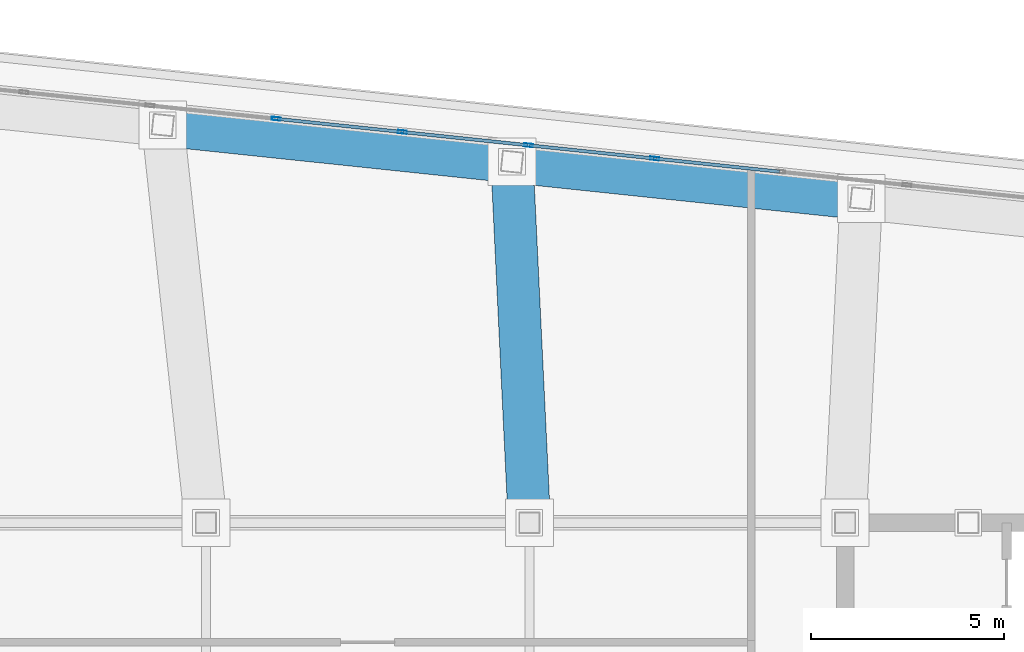
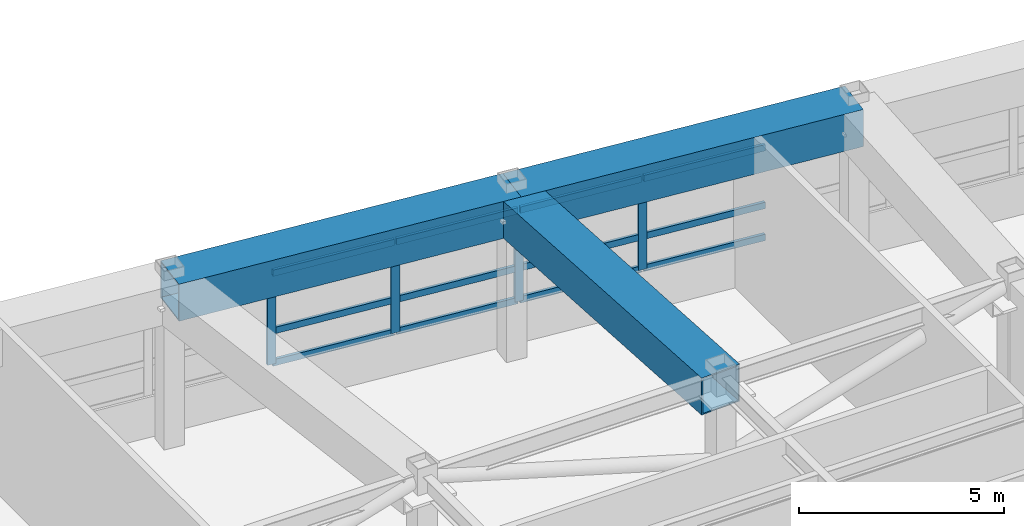
# One storey, part 15 of 22: 16 members, 3 beams, 1 element without a shape of its own.
"""IFC4 building model written with IfcOpenShell, lengths in metres."""

from ifc_helpers import new_model, si_unit, direction, frame, origin, origin_2d, place, context, subcontext, project, spatial, hollow_rectangle, extrude, material, layer, layer_set, material_profile, profile_set, type_object, element, aggregate, save


model = new_model("IFC4")

# Units and contexts
model_context = context("Model", 3, precision=1e-05, world=origin(), true_north=direction((0.0, 1.0)))
body_context = subcontext(model_context, "Body", "Model", "MODEL_VIEW")
ifc_project = project(units=[si_unit("LENGTHUNIT", "METRE"), si_unit("AREAUNIT", "SQUARE_METRE"), si_unit("VOLUMEUNIT", "CUBIC_METRE"), si_unit("PLANEANGLEUNIT", "RADIAN"), si_unit("MASSUNIT", "GRAM", prefix="KILO")], contexts=[model_context])

# Site, building, storey
site_placement = place(None, origin())
site = spatial("IfcSite", under=ifc_project, at=site_placement, CompositionType="ELEMENT")
building_placement = place(site_placement, origin())
building = spatial("IfcBuilding", under=site, at=building_placement, Name="Voryun Gate Residences", CompositionType="ELEMENT")
storey_placement = place(building_placement, frame((0.0, 0.0, 310.699951171875)))
storey = spatial("IfcBuildingStorey", under=building, at=storey_placement, Name="L77", CompositionType="ELEMENT", Elevation=310.699951171875)

# Beams
ifc_material_1 = material(Name="Steel SM420", Category="steel")
ifc_material_profile_1 = material_profile(ifc_material_1, hollow_rectangle(XDim=1.10009765625, YDim=1.10009765625, WallThickness=0.035888671875, at=origin_2d()), Name="BOX-1100x1100x36")
ifc_profile_set_1 = profile_set([ifc_material_profile_1], Name="Steel SM420")
beam_type = type_object("IfcBeamType", Name="BM_ARCH_RIB", PredefinedType="USERDEFINED", material=ifc_profile_set_1)
for number, where, z_axis, x_axis, name in (
    (1, (12.818603515625, 15.824951171875, 4.47509765625), (-0.994521136856, 0.104535679778, 0.0), (-0.104535679778, -0.994521136856, 0.0), "BM-L77-SPAND-12"),
    (2, (3.74853515625, 16.7783203125, 4.47509765625), (-0.994521136856, 0.104535679778, 0.0), (-0.104535679778, -0.994521136856, 0.0), "BM-L77-SPAND-13"),
):
    element("IfcBeam", number, at=place(storey_placement, frame(where, z_axis=z_axis, x_axis=x_axis)), inside=storey, type_object=beam_type, Name=name, ObjectType="GIRDER", PredefinedType="USERDEFINED", context=body_context, shape_type="SweptSolid", body=[
        extrude(hollow_rectangle(XDim=1.10009765625, YDim=1.10009765625, WallThickness=0.035888671875, at=origin_2d()), origin(), (0.0, 0.0, 1.0), 9.1201171875),
    ])
beam_placement = place(storey_placement, frame((4.199951171875, 7.39990234375, 4.47509765625), z_axis=(-0.048077831062, 0.998843592441, 0.0), x_axis=(-0.998843592441, -0.048077831062, 0.0)))
element("IfcBeam", 3, at=beam_placement, inside=storey, type_object=beam_type, Name="BM-L77-RAD-N3", ObjectType="GIRDER", PredefinedType="USERDEFINED", context=body_context, shape_type="SweptSolid", body=[
    extrude(hollow_rectangle(XDim=1.10009765625, YDim=1.10009765625, WallThickness=0.035888671875, at=origin_2d()), origin(), (0.0, 0.0, 1.0), 9.38916015625),
])

# Curtain wall, members
ifc_material_2 = material(Name="Anodised aluminium", Category="aluminium")
ifc_layer = layer(ifc_material_2, 0.22998046875, Name="CW_SYS_LANTERN_DARK_GLASS")
ifc_layer_set = layer_set([ifc_layer], Name="Anodised aluminium")
curtain_wall_type = type_object("IfcCurtainWallType", Name="CW_SYS_LANTERN_DARK_GLASS", PredefinedType="NOTDEFINED", material=ifc_layer_set)
curtain_wall_placement = place(storey_placement, origin())
curtain_wall = element("IfcCurtainWall", 4, at=curtain_wall_placement, inside=storey, type_object=curtain_wall_type, Name="Curtain wall CW6-L77-11", PredefinedType="NOTDEFINED")
ifc_material_3 = material(Name="Anodised aluminium", Category="aluminium")
ifc_material_profile_2 = material_profile(ifc_material_3, hollow_rectangle(XDim=0.0849609375, YDim=0.22998046875, WallThickness=0.006103515625, at=origin_2d()), Name="ALU-MULL-230x85x6")
ifc_profile_set_2 = profile_set([ifc_material_profile_2], Name="Anodised aluminium")
member_type_1 = type_object("IfcMemberType", Name="CW_MULL_LANT", PredefinedType="MULLION", material=ifc_profile_set_2)
member_1_placement = place(storey_placement, frame((-2.375732421875, 17.89453125, 1.18994140625), z_axis=(0.0, 0.0, 1.0), x_axis=(0.10452775858, 0.994521969434, 0.0)))
member_1 = element("IfcMember", 5, at=member_1_placement, type_object=member_type_1, Name="CW6 mullion 7", PredefinedType="MULLION", context=body_context, shape_type="SweptSolid", body=[
    extrude(hollow_rectangle(XDim=0.0849609375, YDim=0.22998046875, WallThickness=0.006103515625, at=origin_2d()), origin(), (0.0, 0.0, 1.0), 2.72509765625),
])
member_2_placement = place(storey_placement, frame((0.90087890625, 17.55029296875, 1.18994140625), z_axis=(0.0, 0.0, 1.0), x_axis=(0.10452775858, 0.994521969434, 0.0)))
member_2 = element("IfcMember", 6, at=member_2_placement, type_object=member_type_1, Name="CW6 mullion 8", PredefinedType="MULLION", context=body_context, shape_type="SweptSolid", body=[
    extrude(hollow_rectangle(XDim=0.0849609375, YDim=0.22998046875, WallThickness=0.006103515625, at=origin_2d()), origin(), (0.0, 0.0, 1.0), 2.72509765625),
])
member_3_placement = place(storey_placement, frame((4.177490234375, 17.205810546875, 1.18994140625), z_axis=(0.0, 0.0, 1.0), x_axis=(0.10452775858, 0.994521969434, 0.0)))
member_3 = element("IfcMember", 7, at=member_3_placement, type_object=member_type_1, Name="CW6 mullion 9", PredefinedType="MULLION", context=body_context, shape_type="SweptSolid", body=[
    extrude(hollow_rectangle(XDim=0.0849609375, YDim=0.22998046875, WallThickness=0.006103515625, at=origin_2d()), origin(), (0.0, 0.0, 1.0), 2.72509765625),
])
member_4_placement = place(storey_placement, frame((7.4541015625, 16.861328125, 1.18994140625), z_axis=(0.0, 0.0, 1.0), x_axis=(0.10452775858, 0.994521969434, 0.0)))
member_4 = element("IfcMember", 8, at=member_4_placement, type_object=member_type_1, Name="CW6 mullion 10", PredefinedType="MULLION", context=body_context, shape_type="SweptSolid", body=[
    extrude(hollow_rectangle(XDim=0.0849609375, YDim=0.22998046875, WallThickness=0.006103515625, at=origin_2d()), origin(), (0.0, 0.0, 1.0), 2.72509765625),
])
ifc_material_4 = material(Name="Anodised aluminium", Category="aluminium")
ifc_material_profile_3 = material_profile(ifc_material_4, hollow_rectangle(XDim=0.0849609375, YDim=0.18994140625, WallThickness=0.006103515625, at=origin_2d()), Name="ALU-TRAN-190x85x6")
ifc_profile_set_3 = profile_set([ifc_material_profile_3], Name="Anodised aluminium")
member_type_2 = type_object("IfcMemberType", Name="CW_TRAN_LANT", PredefinedType="USERDEFINED", material=ifc_profile_set_3)
member_5_placement = place(storey_placement, frame((-2.345947265625, 17.891357421875, 1.219970703125), z_axis=(0.994521569819, -0.104531560613, 0.0), x_axis=(0.104531560613, 0.994521569819, 0.0)))
member_5 = element("IfcMember", 9, at=member_5_placement, type_object=member_type_2, Name="CW6 transom 7.1", ObjectType="TRANSOM", PredefinedType="USERDEFINED", context=body_context, shape_type="SweptSolid", body=[
    extrude(hollow_rectangle(XDim=0.0849609375, YDim=0.18994140625, WallThickness=0.006103515625, at=origin_2d()), origin(), (0.0, 0.0, 1.0), 3.23486328125),
])
member_6_placement = place(storey_placement, frame((-2.345947265625, 17.891357421875, 2.171142578125), z_axis=(0.994521569819, -0.104531560613, 0.0), x_axis=(0.104531560613, 0.994521569819, 0.0)))
member_6 = element("IfcMember", 10, at=member_6_placement, type_object=member_type_2, Name="CW6 transom 7.2", ObjectType="TRANSOM", PredefinedType="USERDEFINED", context=body_context, shape_type="SweptSolid", body=[
    extrude(hollow_rectangle(XDim=0.0849609375, YDim=0.18994140625, WallThickness=0.006103515625, at=origin_2d()), origin(), (0.0, 0.0, 1.0), 3.23486328125),
])
member_7_placement = place(storey_placement, frame((-2.345947265625, 17.891357421875, 3.885009765625), z_axis=(0.994521569819, -0.104531560613, 0.0), x_axis=(0.104531560613, 0.994521569819, 0.0)))
member_7 = element("IfcMember", 11, at=member_7_placement, type_object=member_type_2, Name="CW6 transom 7.3", ObjectType="TRANSOM", PredefinedType="USERDEFINED", context=body_context, shape_type="SweptSolid", body=[
    extrude(hollow_rectangle(XDim=0.0849609375, YDim=0.18994140625, WallThickness=0.006103515625, at=origin_2d()), origin(), (0.0, 0.0, 1.0), 3.23486328125),
])
member_8_placement = place(storey_placement, frame((0.930908203125, 17.547119140625, 1.219970703125), z_axis=(0.994520745033, -0.104539407398, 0.0), x_axis=(0.104539407398, 0.994520745033, 0.0)))
member_8 = element("IfcMember", 12, at=member_8_placement, type_object=member_type_2, Name="CW6 transom 8.1", ObjectType="TRANSOM", PredefinedType="USERDEFINED", context=body_context, shape_type="SweptSolid", body=[
    extrude(hollow_rectangle(XDim=0.0849609375, YDim=0.18994140625, WallThickness=0.006103515625, at=origin_2d()), origin(), (0.0, 0.0, 1.0), 3.234619140625),
])
member_9_placement = place(storey_placement, frame((0.930908203125, 17.547119140625, 2.171142578125), z_axis=(0.994520745033, -0.104539407398, 0.0), x_axis=(0.104539407398, 0.994520745033, 0.0)))
member_9 = element("IfcMember", 13, at=member_9_placement, type_object=member_type_2, Name="CW6 transom 8.2", ObjectType="TRANSOM", PredefinedType="USERDEFINED", context=body_context, shape_type="SweptSolid", body=[
    extrude(hollow_rectangle(XDim=0.0849609375, YDim=0.18994140625, WallThickness=0.006103515625, at=origin_2d()), origin(), (0.0, 0.0, 1.0), 3.234619140625),
])
member_10_placement = place(storey_placement, frame((0.930908203125, 17.547119140625, 3.885009765625), z_axis=(0.994520745033, -0.104539407398, 0.0), x_axis=(0.104539407398, 0.994520745033, 0.0)))
member_10 = element("IfcMember", 14, at=member_10_placement, type_object=member_type_2, Name="CW6 transom 8.3", ObjectType="TRANSOM", PredefinedType="USERDEFINED", context=body_context, shape_type="SweptSolid", body=[
    extrude(hollow_rectangle(XDim=0.0849609375, YDim=0.18994140625, WallThickness=0.006103515625, at=origin_2d()), origin(), (0.0, 0.0, 1.0), 3.234619140625),
])
member_11_placement = place(storey_placement, frame((4.20751953125, 17.20263671875, 1.219970703125), z_axis=(0.994520745033, -0.104539407398, 0.0), x_axis=(0.104539407398, 0.994520745033, 0.0)))
member_11 = element("IfcMember", 15, at=member_11_placement, type_object=member_type_2, Name="CW6 transom 9.1", ObjectType="TRANSOM", PredefinedType="USERDEFINED", context=body_context, shape_type="SweptSolid", body=[
    extrude(hollow_rectangle(XDim=0.0849609375, YDim=0.18994140625, WallThickness=0.006103515625, at=origin_2d()), origin(), (0.0, 0.0, 1.0), 3.234619140625),
])
member_12_placement = place(storey_placement, frame((4.20751953125, 17.20263671875, 2.171142578125), z_axis=(0.994520745033, -0.104539407398, 0.0), x_axis=(0.104539407398, 0.994520745033, 0.0)))
member_12 = element("IfcMember", 16, at=member_12_placement, type_object=member_type_2, Name="CW6 transom 9.2", ObjectType="TRANSOM", PredefinedType="USERDEFINED", context=body_context, shape_type="SweptSolid", body=[
    extrude(hollow_rectangle(XDim=0.0849609375, YDim=0.18994140625, WallThickness=0.006103515625, at=origin_2d()), origin(), (0.0, 0.0, 1.0), 3.234619140625),
])
member_13_placement = place(storey_placement, frame((4.20751953125, 17.20263671875, 3.885009765625), z_axis=(0.994520745033, -0.104539407398, 0.0), x_axis=(0.104539407398, 0.994520745033, 0.0)))
member_13 = element("IfcMember", 17, at=member_13_placement, type_object=member_type_2, Name="CW6 transom 9.3", ObjectType="TRANSOM", PredefinedType="USERDEFINED", context=body_context, shape_type="SweptSolid", body=[
    extrude(hollow_rectangle(XDim=0.0849609375, YDim=0.18994140625, WallThickness=0.006103515625, at=origin_2d()), origin(), (0.0, 0.0, 1.0), 3.234619140625),
])
member_14_placement = place(storey_placement, frame((7.484130859375, 16.8583984375, 1.219970703125), z_axis=(0.994520745033, -0.104539407398, 0.0), x_axis=(0.104539407398, 0.994520745033, 0.0)))
member_14 = element("IfcMember", 18, at=member_14_placement, type_object=member_type_2, Name="CW6 transom 10.1", ObjectType="TRANSOM", PredefinedType="USERDEFINED", context=body_context, shape_type="SweptSolid", body=[
    extrude(hollow_rectangle(XDim=0.0849609375, YDim=0.18994140625, WallThickness=0.006103515625, at=origin_2d()), origin(), (0.0, 0.0, 1.0), 3.234619140625),
])
member_15_placement = place(storey_placement, frame((7.484130859375, 16.8583984375, 2.171142578125), z_axis=(0.994520745033, -0.104539407398, 0.0), x_axis=(0.104539407398, 0.994520745033, 0.0)))
member_15 = element("IfcMember", 19, at=member_15_placement, type_object=member_type_2, Name="CW6 transom 10.2", ObjectType="TRANSOM", PredefinedType="USERDEFINED", context=body_context, shape_type="SweptSolid", body=[
    extrude(hollow_rectangle(XDim=0.0849609375, YDim=0.18994140625, WallThickness=0.006103515625, at=origin_2d()), origin(), (0.0, 0.0, 1.0), 3.234619140625),
])
member_16_placement = place(storey_placement, frame((7.484130859375, 16.8583984375, 3.885009765625), z_axis=(0.994520745033, -0.104539407398, 0.0), x_axis=(0.104539407398, 0.994520745033, 0.0)))
member_16 = element("IfcMember", 20, at=member_16_placement, type_object=member_type_2, Name="CW6 transom 10.3", ObjectType="TRANSOM", PredefinedType="USERDEFINED", context=body_context, shape_type="SweptSolid", body=[
    extrude(hollow_rectangle(XDim=0.0849609375, YDim=0.18994140625, WallThickness=0.006103515625, at=origin_2d()), origin(), (0.0, 0.0, 1.0), 3.234619140625),
])
aggregate(curtain_wall, [member_1, member_2, member_3, member_4, member_5, member_6, member_7, member_8, member_9, member_10, member_11, member_12, member_13, member_14, member_15, member_16])

save(model, "model.ifc")
